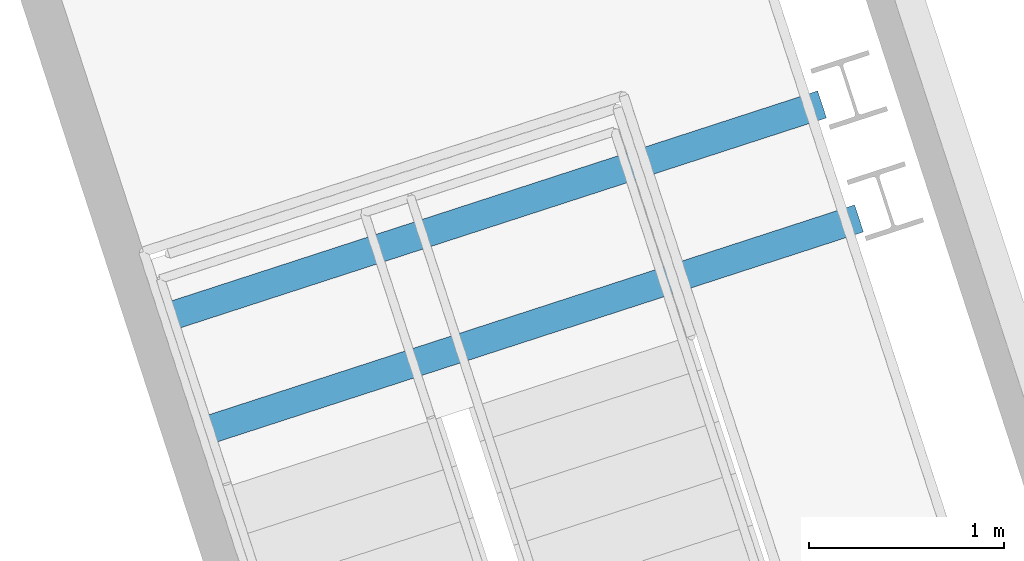
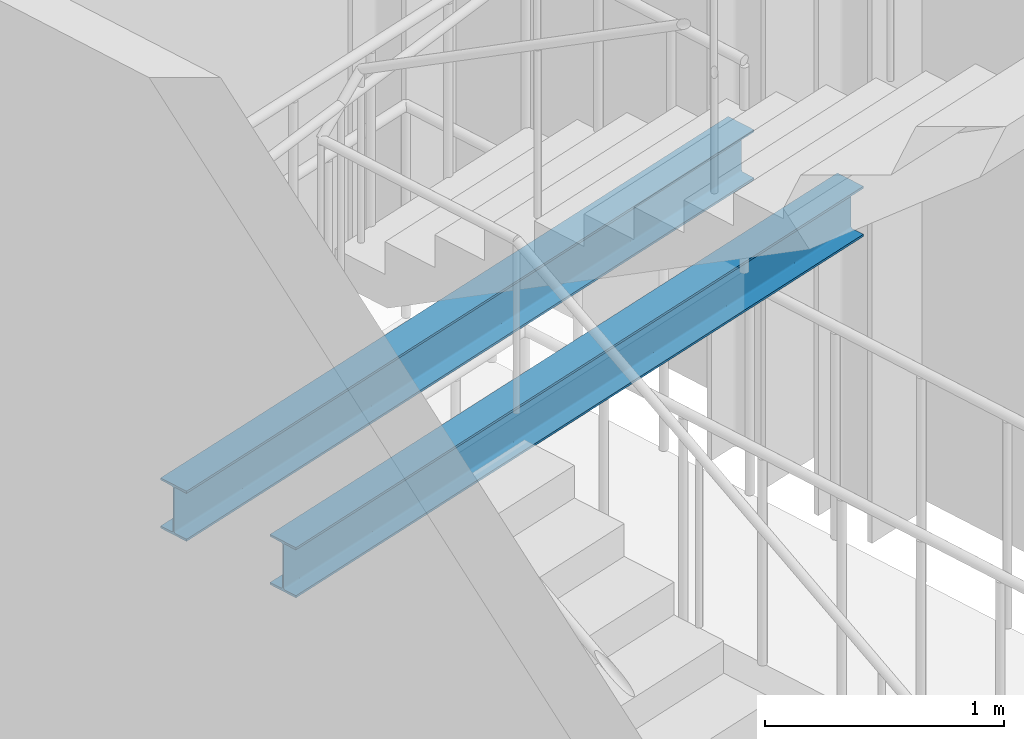
# One storey, part 19 of 55: 2 beams.
"""IFC4 building model written with IfcOpenShell, lengths in metres."""

from ifc_helpers import new_model, si_unit, direction, frame, origin, origin_2d, place, context, subcontext, project, spatial, i_section, extrude, material, material_profile, profile_set, type_object, element, save


model = new_model("IFC4")

# Units and contexts
model_context = context("Model", 3, precision=1e-05, world=origin(), true_north=direction((0.0, 1.0)))
body_context = subcontext(model_context, "Body", "Model", "MODEL_VIEW")
ifc_project = project(units=[si_unit("LENGTHUNIT", "METRE"), si_unit("AREAUNIT", "SQUARE_METRE"), si_unit("VOLUMEUNIT", "CUBIC_METRE"), si_unit("PLANEANGLEUNIT", "RADIAN"), si_unit("MASSUNIT", "GRAM", prefix="KILO")], contexts=[model_context])

# Site, building, storey
site_placement = place(None, origin())
site = spatial("IfcSite", under=ifc_project, at=site_placement, CompositionType="ELEMENT")
building_placement = place(site_placement, origin())
building = spatial("IfcBuilding", under=site, at=building_placement, Name="Tuart Plaza Theatre", CompositionType="ELEMENT")
storey_placement = place(building_placement, frame((0.0, 0.0, 21.5)))
storey = spatial("IfcBuildingStorey", under=building, at=storey_placement, Name="L05", CompositionType="ELEMENT", Elevation=21.5)

# Beams
ifc_material = material(Name="Steel Grade 300", Category="steel")
ifc_material_profile = material_profile(ifc_material, i_section(OverallWidth=0.14599609375, OverallDepth=0.256103515625, WebThickness=0.00634765625, FlangeThickness=0.010986328125, FilletRadius=0.0087890625, at=origin_2d()), Name="250UB37.3")
ifc_profile_set = profile_set([ifc_material_profile], Name="Steel Grade 300")
beam_type = type_object("IfcBeamType", Name="BEAM 250UB37.3", PredefinedType="BEAM", material=ifc_profile_set)
beam_1_placement = place(storey_placement, frame((59.861572265625, 93.521484375, 1.672119140625), z_axis=(0.951046215796, 0.309048694255, 0.0), x_axis=(-0.309048694255, 0.951046215796, 0.0)))
element("IfcBeam", 1, at=beam_1_placement, inside=storey, type_object=beam_type, Name="SB51", PredefinedType="BEAM", context=body_context, shape_type="SweptSolid", body=[
    extrude(i_section(OverallWidth=0.14599609375, OverallDepth=0.256103515625, WebThickness=0.00634765625, FlangeThickness=0.010986328125, FilletRadius=0.0087890625, at=origin_2d()), origin(), (0.0, 0.0, 1.0), 3.544677734375),
])
beam_2_placement = place(storey_placement, frame((60.0517578125, 92.936767578125, 1.672119140625), z_axis=(0.951059881727, 0.309006636447, 0.0), x_axis=(-0.309006636447, 0.951059881727, 0.0)))
element("IfcBeam", 2, at=beam_2_placement, inside=storey, type_object=beam_type, Name="SB52", PredefinedType="BEAM", context=body_context, shape_type="SweptSolid", body=[
    extrude(i_section(OverallWidth=0.14599609375, OverallDepth=0.256103515625, WebThickness=0.00634765625, FlangeThickness=0.010986328125, FilletRadius=0.0087890625, at=origin_2d()), origin(), (0.0, 0.0, 1.0), 3.544189453125),
])

save(model, "model.ifc")
